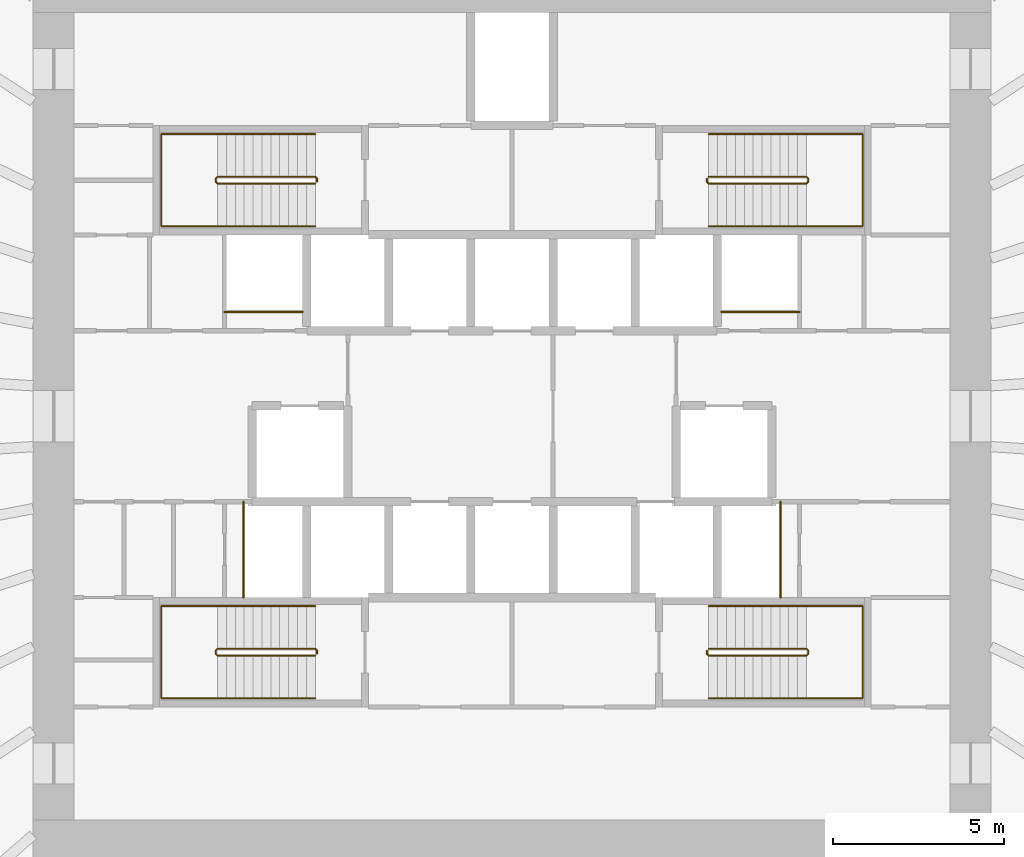
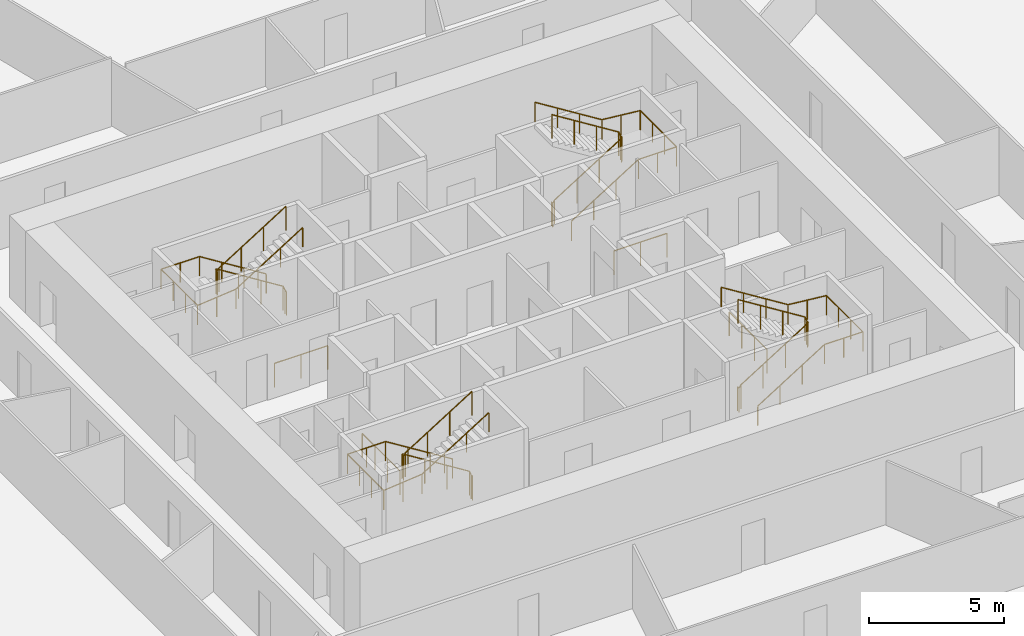
# One storey, part 10 of 10: 12 railings.
"""IFC4 building model written with IfcOpenShell, lengths in metres."""

from ifc_helpers import new_model, si_unit, direction, frame, origin, origin_2d, place, context, subcontext, project, spatial, circle, extrude, source, transform, mapped, material, type_object, element, save


model = new_model("IFC4")

# Units and contexts
model_context = context("Model", 3, precision=1e-05, world=origin(), true_north=direction((0.0, 1.0)))
body_context = subcontext(model_context, "Body", "Model", "MODEL_VIEW")
ifc_project = project(units=[si_unit("LENGTHUNIT", "METRE"), si_unit("AREAUNIT", "SQUARE_METRE"), si_unit("VOLUMEUNIT", "CUBIC_METRE"), si_unit("PLANEANGLEUNIT", "RADIAN"), si_unit("MASSUNIT", "GRAM", prefix="KILO")], contexts=[model_context])

# Site, building, storey
site_placement = place(None, origin())
site = spatial("IfcSite", under=ifc_project, at=site_placement, CompositionType="ELEMENT")
building_placement = place(site_placement, origin())
building = spatial("IfcBuilding", under=site, at=building_placement, Name="Embergate Tower", CompositionType="ELEMENT")
storey_placement = place(building_placement, frame((0.0, 0.0, 93.199951171875)))
storey = spatial("IfcBuildingStorey", under=building, at=storey_placement, Name="L19", CompositionType="ELEMENT", Elevation=93.199951171875)

# Railings
ifc_material_1 = material(Name="Stair guard 1100")
railing_type_1 = type_object("IfcRailingType", Name="Stair guard 1100", PredefinedType="GUARDRAIL", material=ifc_material_1)
shared_shape_1 = source(origin(), body_context, "Body", "SweptSolid", [
    extrude(circle(Radius=0.02392578125, at=origin_2d()), frame((0.0, 0.0, 1.076171875), z_axis=(0.0, 1.0, 0.0), x_axis=(-1.0, 0.0, 0.0)), (0.0, 0.0, 1.0), 0.099853515625),
    extrude(circle(Radius=0.02392578125, at=origin_2d()), frame((0.0, 0.099853515625, 1.076171875), z_axis=(-0.282227285176, 0.282227285176, 0.916894497205), x_axis=(-0.707106781187, -0.707106781187, 0.0)), (0.0, 0.0, 1.0), 0.17724609375),
    extrude(circle(Radius=0.02392578125, at=origin_2d()), frame((-0.050048828125, 0.14990234375, 1.23876953125), z_axis=(-0.848026770018, 0.0, 0.529953391661), x_axis=(0.0, -1.0, 0.0)), (0.0, 0.0, 1.0), 3.37255859375),
    extrude(circle(Radius=0.02392578125, at=origin_2d()), frame((-2.91015625, 0.14990234375, 3.02587890625), z_axis=(-0.705375805398, -0.708833529934, 0.0), x_axis=(0.708833529934, -0.705375805398, 0.0)), (0.0, 0.0, 1.0), 0.070556640625),
    extrude(circle(Radius=0.02392578125, at=origin_2d()), frame((-2.9599609375, 0.099853515625, 3.02587890625), z_axis=(0.0, -1.0, 0.0), x_axis=(1.0, 0.0, 0.0)), (0.0, 0.0, 1.0), 0.099853515625),
    extrude(circle(Radius=0.02392578125, at=origin_2d()), frame((-2.9599609375, 0.0, 3.02587890625), z_axis=(0.280959487676, -0.282336740067, 0.917250092119), x_axis=(0.708833529934, 0.705375805398, 0.0)), (0.0, 0.0, 1.0), 0.17724609375),
    extrude(circle(Radius=0.02392578125, at=origin_2d()), frame((-2.91015625, -0.050048828125, 3.1884765625), z_axis=(0.847994237388, 0.0, 0.530005446535), x_axis=(0.0, 1.0, 0.0)), (0.0, 0.0, 1.0), 3.372802734375),
    extrude(circle(Radius=0.02099609375, at=origin_2d()), origin(), (0.0, 0.0, 1.0), 1.052001953125),
    extrude(circle(Radius=0.02099609375, at=origin_2d()), frame((0.0, 0.099853515625, 0.0)), (0.0, 0.0, 1.0), 1.052001953125),
    extrude(circle(Radius=0.02099609375, at=origin_2d()), frame((-0.050048828125, 0.14990234375, 0.16259765625)), (0.0, 0.0, 1.0), 1.052001953125),
    extrude(circle(Radius=0.02099609375, at=origin_2d()), frame((-1.00341796875, 0.14990234375, 0.75830078125)), (0.0, 0.0, 1.0), 1.052001953125),
    extrude(circle(Radius=0.02099609375, at=origin_2d()), frame((-1.956787109375, 0.14990234375, 1.354248046875)), (0.0, 0.0, 1.0), 1.052001953125),
    extrude(circle(Radius=0.02099609375, at=origin_2d()), frame((-2.91015625, 0.14990234375, 1.949951171875)), (0.0, 0.0, 1.0), 1.052001953125),
    extrude(circle(Radius=0.02099609375, at=origin_2d()), frame((-2.9599609375, 0.099853515625, 1.949951171875)), (0.0, 0.0, 1.0), 1.052001953125),
    extrude(circle(Radius=0.02099609375, at=origin_2d()), frame((-2.9599609375, 0.0, 1.949951171875)), (0.0, 0.0, 1.0), 1.052001953125),
    extrude(circle(Radius=0.02099609375, at=origin_2d()), frame((-2.91015625, -0.050048828125, 2.112548828125)), (0.0, 0.0, 1.0), 1.052001953125),
    extrude(circle(Radius=0.02099609375, at=origin_2d()), frame((-1.956787109375, -0.050048828125, 2.70849609375)), (0.0, 0.0, 1.0), 1.052001953125),
    extrude(circle(Radius=0.02099609375, at=origin_2d()), frame((-1.00341796875, -0.050048828125, 3.30419921875)), (0.0, 0.0, 1.0), 1.052001953125),
    extrude(circle(Radius=0.02099609375, at=origin_2d()), frame((-0.050048828125, -0.050048828125, 3.900146484375)), (0.0, 0.0, 1.0), 1.052001953125),
])
for number, where, name in (
    (1, (-5.699951171875, 6.85009765625, 0.0), "L19 ST1 stair guard 1"),
    (2, (-5.699951171875, -6.949951171875, 0.0), "L19 ST3 stair guard 1"),
):
    element("IfcRailing", number, at=place(storey_placement, frame(where)), inside=storey, type_object=railing_type_1, Name=name, PredefinedType="GUARDRAIL", context=body_context, shape_type="MappedRepresentation", body=[
        mapped(shared_shape_1, transform((0.0, 0.0, 0.0))),
    ])
ifc_material_2 = material(Name="Stair handrail 900")
railing_type_2 = type_object("IfcRailingType", Name="Stair handrail 900", PredefinedType="HANDRAIL", material=ifc_material_2)
shared_shape_2 = source(origin(), body_context, "Body", "SweptSolid", [
    extrude(circle(Radius=0.02392578125, at=origin_2d()), frame((0.0, 0.0, 0.8759765625), z_axis=(-0.848026770018, 0.0, 0.529953391661), x_axis=(0.0, -1.0, 0.0)), (0.0, 0.0, 1.0), 3.37255859375),
    extrude(circle(Radius=0.02392578125, at=origin_2d()), frame((-2.860107421875, 0.0, 2.6630859375), z_axis=(-1.0, 0.0, 0.0), x_axis=(0.0, -1.0, 0.0)), (0.0, 0.0, 1.0), 1.639892578125),
    extrude(circle(Radius=0.02392578125, at=origin_2d()), frame((-4.5, 0.0, 2.6630859375), z_axis=(0.0, -1.0, 0.0), x_axis=(1.0, 0.0, 0.0)), (0.0, 0.0, 1.0), 2.699951171875),
    extrude(circle(Radius=0.02392578125, at=origin_2d()), frame((-4.5, -2.699951171875, 2.6630859375), z_axis=(0.995120448088, 0.0, 0.098667592441), x_axis=(0.0, 1.0, 0.0)), (0.0, 0.0, 1.0), 1.64794921875),
    extrude(circle(Radius=0.02392578125, at=origin_2d()), frame((-2.860107421875, -2.699951171875, 2.82568359375), z_axis=(0.847994237388, 0.0, 0.530005446535), x_axis=(0.0, 1.0, 0.0)), (0.0, 0.0, 1.0), 3.372802734375),
    extrude(circle(Radius=0.02099609375, at=origin_2d()), origin(), (0.0, 0.0, 1.0), 0.851806640625),
    extrude(circle(Radius=0.02099609375, at=origin_2d()), frame((-0.953369140625, 0.0, 0.595703125)), (0.0, 0.0, 1.0), 0.851806640625),
    extrude(circle(Radius=0.02099609375, at=origin_2d()), frame((-1.90673828125, 0.0, 1.191650390625)), (0.0, 0.0, 1.0), 0.851806640625),
    extrude(circle(Radius=0.02099609375, at=origin_2d()), frame((-2.860107421875, 0.0, 1.787353515625)), (0.0, 0.0, 1.0), 0.851806640625),
    extrude(circle(Radius=0.02099609375, at=origin_2d()), frame((-3.68017578125, 0.0, 1.787353515625)), (0.0, 0.0, 1.0), 0.851806640625),
    extrude(circle(Radius=0.02099609375, at=origin_2d()), frame((-4.5, 0.0, 1.787353515625)), (0.0, 0.0, 1.0), 0.851806640625),
    extrude(circle(Radius=0.02099609375, at=origin_2d()), frame((-4.5, -0.89990234375, 1.787353515625)), (0.0, 0.0, 1.0), 0.851806640625),
    extrude(circle(Radius=0.02099609375, at=origin_2d()), frame((-4.5, -1.800048828125, 1.787353515625)), (0.0, 0.0, 1.0), 0.851806640625),
    extrude(circle(Radius=0.02099609375, at=origin_2d()), frame((-4.5, -2.699951171875, 1.787353515625)), (0.0, 0.0, 1.0), 0.851806640625),
    extrude(circle(Radius=0.02099609375, at=origin_2d()), frame((-3.68017578125, -2.699951171875, 1.86865234375)), (0.0, 0.0, 1.0), 0.851806640625),
    extrude(circle(Radius=0.02099609375, at=origin_2d()), frame((-2.860107421875, -2.699951171875, 1.949951171875)), (0.0, 0.0, 1.0), 0.851806640625),
    extrude(circle(Radius=0.02099609375, at=origin_2d()), frame((-1.90673828125, -2.699951171875, 2.5458984375)), (0.0, 0.0, 1.0), 0.851806640625),
    extrude(circle(Radius=0.02099609375, at=origin_2d()), frame((-0.953369140625, -2.699951171875, 3.1416015625)), (0.0, 0.0, 1.0), 0.851806640625),
    extrude(circle(Radius=0.02099609375, at=origin_2d()), frame((0.0, -2.699951171875, 3.737548828125)), (0.0, 0.0, 1.0), 0.851806640625),
])
for number, where, name in (
    (3, (-5.75, 8.25, 0.16259765625), "L19 ST1 stair handrail 1"),
    (4, (-5.75, -5.550048828125, 0.16259765625), "L19 ST3 stair handrail 1"),
):
    element("IfcRailing", number, at=place(storey_placement, frame(where)), inside=storey, type_object=railing_type_2, Name=name, PredefinedType="HANDRAIL", context=body_context, shape_type="MappedRepresentation", body=[
        mapped(shared_shape_2, transform((0.0, 0.0, 0.0))),
    ])
shared_shape_3 = source(origin(), body_context, "Body", "SweptSolid", [
    extrude(circle(Radius=0.02392578125, at=origin_2d()), frame((0.0, 0.0, 1.076171875), z_axis=(0.0, -1.0, 0.0), x_axis=(1.0, 0.0, 0.0)), (0.0, 0.0, 1.0), 0.099853515625),
    extrude(circle(Radius=0.02392578125, at=origin_2d()), frame((0.0, -0.099853515625, 1.076171875), z_axis=(0.282227285176, -0.282227285176, 0.916894497205), x_axis=(0.707106781187, 0.707106781187, 0.0)), (0.0, 0.0, 1.0), 0.17724609375),
    extrude(circle(Radius=0.02392578125, at=origin_2d()), frame((0.050048828125, -0.14990234375, 1.23876953125), z_axis=(0.848026770018, 0.0, 0.529953391661), x_axis=(0.0, 1.0, 0.0)), (0.0, 0.0, 1.0), 3.37255859375),
    extrude(circle(Radius=0.02392578125, at=origin_2d()), frame((2.91015625, -0.14990234375, 3.02587890625), z_axis=(0.705375805398, 0.708833529934, 0.0), x_axis=(-0.708833529934, 0.705375805398, 0.0)), (0.0, 0.0, 1.0), 0.070556640625),
    extrude(circle(Radius=0.02392578125, at=origin_2d()), frame((2.9599609375, -0.099853515625, 3.02587890625), z_axis=(0.0, 1.0, 0.0), x_axis=(-1.0, 0.0, 0.0)), (0.0, 0.0, 1.0), 0.099853515625),
    extrude(circle(Radius=0.02392578125, at=origin_2d()), frame((2.9599609375, 0.0, 3.02587890625), z_axis=(-0.280959487676, 0.282336740067, 0.917250092119), x_axis=(-0.708833529934, -0.705375805398, 0.0)), (0.0, 0.0, 1.0), 0.17724609375),
    extrude(circle(Radius=0.02392578125, at=origin_2d()), frame((2.91015625, 0.050048828125, 3.1884765625), z_axis=(-0.847994237388, 0.0, 0.530005446535), x_axis=(0.0, -1.0, 0.0)), (0.0, 0.0, 1.0), 3.372802734375),
    extrude(circle(Radius=0.02099609375, at=origin_2d()), origin(), (0.0, 0.0, 1.0), 1.052001953125),
    extrude(circle(Radius=0.02099609375, at=origin_2d()), frame((0.0, -0.099853515625, 0.0)), (0.0, 0.0, 1.0), 1.052001953125),
    extrude(circle(Radius=0.02099609375, at=origin_2d()), frame((0.050048828125, -0.14990234375, 0.16259765625)), (0.0, 0.0, 1.0), 1.052001953125),
    extrude(circle(Radius=0.02099609375, at=origin_2d()), frame((1.00341796875, -0.14990234375, 0.75830078125)), (0.0, 0.0, 1.0), 1.052001953125),
    extrude(circle(Radius=0.02099609375, at=origin_2d()), frame((1.956787109375, -0.14990234375, 1.354248046875)), (0.0, 0.0, 1.0), 1.052001953125),
    extrude(circle(Radius=0.02099609375, at=origin_2d()), frame((2.91015625, -0.14990234375, 1.949951171875)), (0.0, 0.0, 1.0), 1.052001953125),
    extrude(circle(Radius=0.02099609375, at=origin_2d()), frame((2.9599609375, -0.099853515625, 1.949951171875)), (0.0, 0.0, 1.0), 1.052001953125),
    extrude(circle(Radius=0.02099609375, at=origin_2d()), frame((2.9599609375, 0.0, 1.949951171875)), (0.0, 0.0, 1.0), 1.052001953125),
    extrude(circle(Radius=0.02099609375, at=origin_2d()), frame((2.91015625, 0.050048828125, 2.112548828125)), (0.0, 0.0, 1.0), 1.052001953125),
    extrude(circle(Radius=0.02099609375, at=origin_2d()), frame((1.956787109375, 0.050048828125, 2.70849609375)), (0.0, 0.0, 1.0), 1.052001953125),
    extrude(circle(Radius=0.02099609375, at=origin_2d()), frame((1.00341796875, 0.050048828125, 3.30419921875)), (0.0, 0.0, 1.0), 1.052001953125),
    extrude(circle(Radius=0.02099609375, at=origin_2d()), frame((0.050048828125, 0.050048828125, 3.900146484375)), (0.0, 0.0, 1.0), 1.052001953125),
])
for number, where, name in (
    (5, (5.699951171875, 6.949951171875, 0.0), "L19 ST2 stair guard 1"),
    (6, (5.699951171875, -6.85009765625, 0.0), "L19 ST4 stair guard 1"),
):
    element("IfcRailing", number, at=place(storey_placement, frame(where)), inside=storey, type_object=railing_type_1, Name=name, PredefinedType="GUARDRAIL", context=body_context, shape_type="MappedRepresentation", body=[
        mapped(shared_shape_3, transform((0.0, 0.0, 0.0))),
    ])
shared_shape_4 = source(origin(), body_context, "Body", "SweptSolid", [
    extrude(circle(Radius=0.02392578125, at=origin_2d()), frame((0.0, 0.0, 0.8759765625), z_axis=(0.848026770018, 0.0, 0.529953391661), x_axis=(0.0, 1.0, 0.0)), (0.0, 0.0, 1.0), 3.37255859375),
    extrude(circle(Radius=0.02392578125, at=origin_2d()), frame((2.860107421875, 0.0, 2.6630859375), z_axis=(1.0, 0.0, 0.0), x_axis=(0.0, 1.0, 0.0)), (0.0, 0.0, 1.0), 1.639892578125),
    extrude(circle(Radius=0.02392578125, at=origin_2d()), frame((4.5, 0.0, 2.6630859375), z_axis=(0.0, 1.0, 0.0), x_axis=(-1.0, 0.0, 0.0)), (0.0, 0.0, 1.0), 2.699951171875),
    extrude(circle(Radius=0.02392578125, at=origin_2d()), frame((4.5, 2.699951171875, 2.6630859375), z_axis=(-0.995120448088, 0.0, 0.098667592441), x_axis=(0.0, -1.0, 0.0)), (0.0, 0.0, 1.0), 1.64794921875),
    extrude(circle(Radius=0.02392578125, at=origin_2d()), frame((2.860107421875, 2.699951171875, 2.82568359375), z_axis=(-0.847994237388, 0.0, 0.530005446535), x_axis=(0.0, -1.0, 0.0)), (0.0, 0.0, 1.0), 3.372802734375),
    extrude(circle(Radius=0.02099609375, at=origin_2d()), origin(), (0.0, 0.0, 1.0), 0.851806640625),
    extrude(circle(Radius=0.02099609375, at=origin_2d()), frame((0.953369140625, 0.0, 0.595703125)), (0.0, 0.0, 1.0), 0.851806640625),
    extrude(circle(Radius=0.02099609375, at=origin_2d()), frame((1.90673828125, 0.0, 1.191650390625)), (0.0, 0.0, 1.0), 0.851806640625),
    extrude(circle(Radius=0.02099609375, at=origin_2d()), frame((2.860107421875, 0.0, 1.787353515625)), (0.0, 0.0, 1.0), 0.851806640625),
    extrude(circle(Radius=0.02099609375, at=origin_2d()), frame((3.68017578125, 0.0, 1.787353515625)), (0.0, 0.0, 1.0), 0.851806640625),
    extrude(circle(Radius=0.02099609375, at=origin_2d()), frame((4.5, 0.0, 1.787353515625)), (0.0, 0.0, 1.0), 0.851806640625),
    extrude(circle(Radius=0.02099609375, at=origin_2d()), frame((4.5, 0.89990234375, 1.787353515625)), (0.0, 0.0, 1.0), 0.851806640625),
    extrude(circle(Radius=0.02099609375, at=origin_2d()), frame((4.5, 1.800048828125, 1.787353515625)), (0.0, 0.0, 1.0), 0.851806640625),
    extrude(circle(Radius=0.02099609375, at=origin_2d()), frame((4.5, 2.699951171875, 1.787353515625)), (0.0, 0.0, 1.0), 0.851806640625),
    extrude(circle(Radius=0.02099609375, at=origin_2d()), frame((3.68017578125, 2.699951171875, 1.86865234375)), (0.0, 0.0, 1.0), 0.851806640625),
    extrude(circle(Radius=0.02099609375, at=origin_2d()), frame((2.860107421875, 2.699951171875, 1.949951171875)), (0.0, 0.0, 1.0), 0.851806640625),
    extrude(circle(Radius=0.02099609375, at=origin_2d()), frame((1.90673828125, 2.699951171875, 2.5458984375)), (0.0, 0.0, 1.0), 0.851806640625),
    extrude(circle(Radius=0.02099609375, at=origin_2d()), frame((0.953369140625, 2.699951171875, 3.1416015625)), (0.0, 0.0, 1.0), 0.851806640625),
    extrude(circle(Radius=0.02099609375, at=origin_2d()), frame((0.0, 2.699951171875, 3.737548828125)), (0.0, 0.0, 1.0), 0.851806640625),
])
for number, where, name in (
    (7, (5.75, 5.550048828125, 0.16259765625), "L19 ST2 stair handrail 1"),
    (8, (5.75, -8.25, 0.16259765625), "L19 ST4 stair handrail 1"),
):
    element("IfcRailing", number, at=place(storey_placement, frame(where)), inside=storey, type_object=railing_type_2, Name=name, PredefinedType="HANDRAIL", context=body_context, shape_type="MappedRepresentation", body=[
        mapped(shared_shape_4, transform((0.0, 0.0, 0.0))),
    ])
ifc_material_3 = material(Name="Opening guard 1100")
railing_type_3 = type_object("IfcRailingType", Name="Opening guard 1100", PredefinedType="GUARDRAIL", material=ifc_material_3)
shared_shape_5 = source(origin(), body_context, "Body", "SweptSolid", [
    extrude(circle(Radius=0.02392578125, at=origin_2d()), frame((0.0, 0.0, 1.076171875), z_axis=(1.0, 0.0, 0.0), x_axis=(0.0, 1.0, 0.0)), (0.0, 0.0, 1.0), 2.27490234375),
    extrude(circle(Radius=0.02099609375, at=origin_2d()), origin(), (0.0, 0.0, 1.0), 1.052001953125),
    extrude(circle(Radius=0.02099609375, at=origin_2d()), frame((1.137451171875, 0.0, 0.0)), (0.0, 0.0, 1.0), 1.052001953125),
    extrude(circle(Radius=0.02099609375, at=origin_2d()), frame((2.27490234375, 0.0, 0.0)), (0.0, 0.0, 1.0), 1.052001953125),
])
for number, where, name in (
    (9, (-8.39990234375, 3.050048828125, 0.0), "Riser opening guard"),
    (10, (6.125, 3.050048828125, 0.0), "Riser opening guard"),
):
    element("IfcRailing", number, at=place(storey_placement, frame(where)), inside=storey, type_object=railing_type_3, Name=name, PredefinedType="GUARDRAIL", context=body_context, shape_type="MappedRepresentation", body=[
        mapped(shared_shape_5, transform((0.0, 0.0, 0.0))),
    ])
shared_shape_6 = source(origin(), body_context, "Body", "SweptSolid", [
    extrude(circle(Radius=0.02392578125, at=origin_2d()), frame((0.0, 0.0, 1.076171875), z_axis=(0.0, 1.0, 0.0), x_axis=(-1.0, 0.0, 0.0)), (0.0, 0.0, 1.0), 2.800048828125),
    extrude(circle(Radius=0.02099609375, at=origin_2d()), origin(), (0.0, 0.0, 1.0), 1.052001953125),
    extrude(circle(Radius=0.02099609375, at=origin_2d()), frame((0.0, 0.933349609375, 0.0)), (0.0, 0.0, 1.0), 1.052001953125),
    extrude(circle(Radius=0.02099609375, at=origin_2d()), frame((0.0, 1.86669921875, 0.0)), (0.0, 0.0, 1.0), 1.052001953125),
    extrude(circle(Radius=0.02099609375, at=origin_2d()), frame((0.0, 2.800048828125, 0.0)), (0.0, 0.0, 1.0), 1.052001953125),
])
for number, where, name in (
    (11, (-7.85009765625, -5.300048828125, 0.0), "Riser opening guard"),
    (12, (7.85009765625, -5.300048828125, 0.0), "Riser opening guard"),
):
    element("IfcRailing", number, at=place(storey_placement, frame(where)), inside=storey, type_object=railing_type_3, Name=name, PredefinedType="GUARDRAIL", context=body_context, shape_type="MappedRepresentation", body=[
        mapped(shared_shape_6, transform((0.0, 0.0, 0.0))),
    ])

save(model, "model.ifc")
